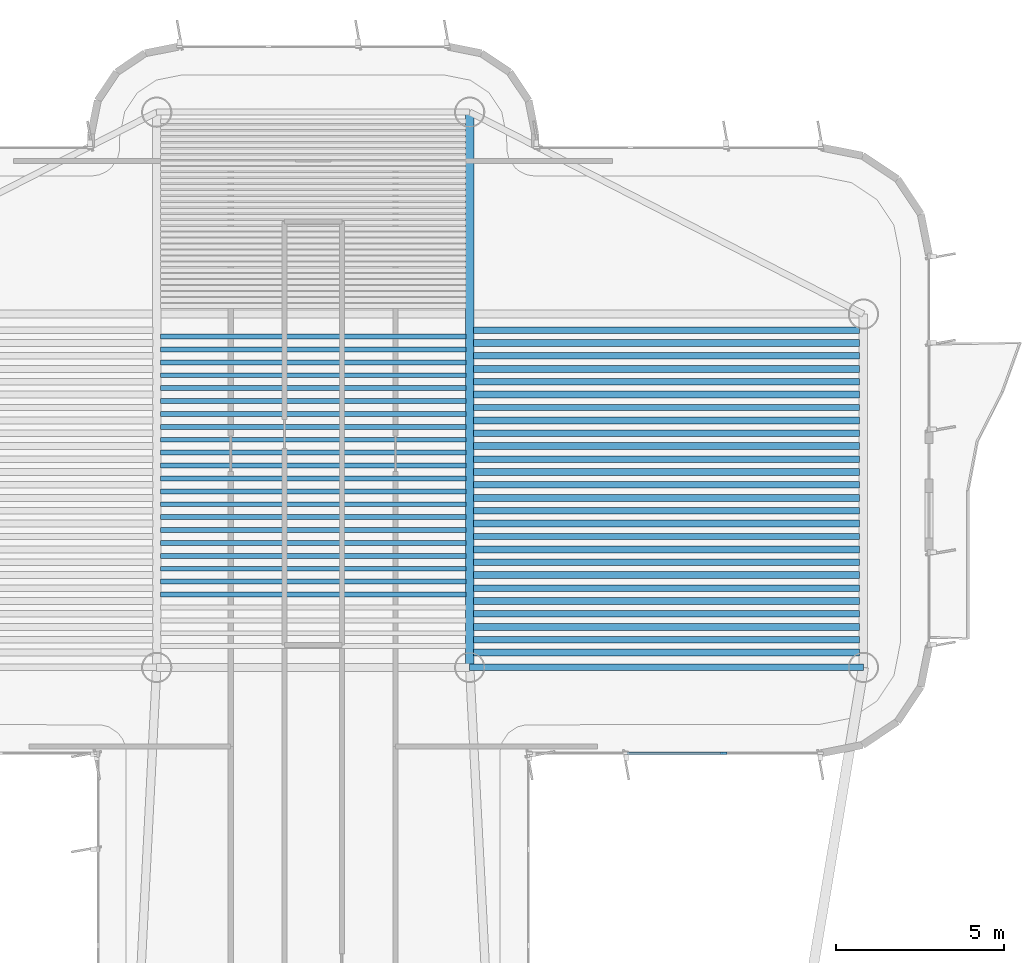
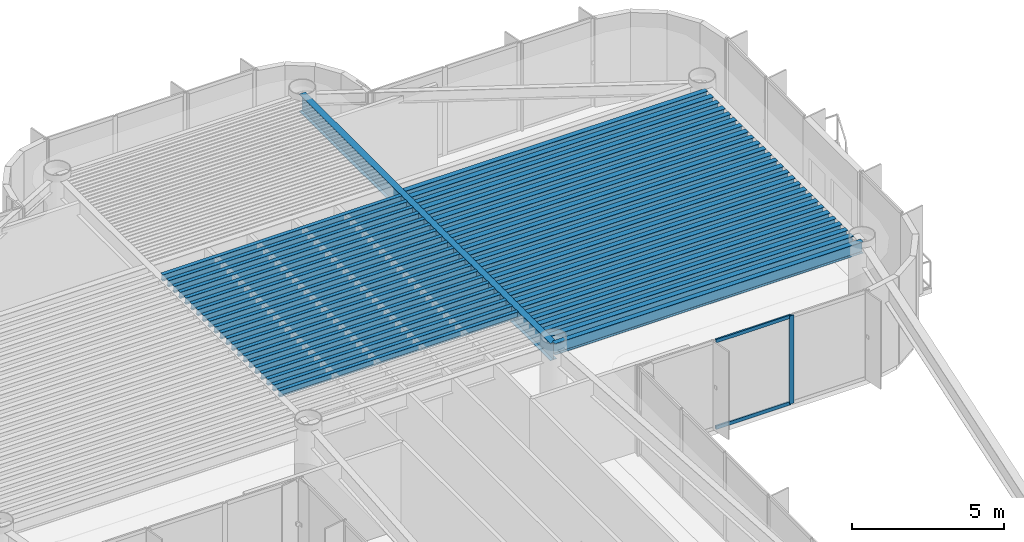
# One storey, part 6 of 14: 49 beams, 3 members, 1 element without a shape of its own.
"""IFC4 building model written with IfcOpenShell, lengths in metres."""

from ifc_helpers import new_model, si_unit, direction, frame, origin, origin_2d, place, context, subcontext, project, spatial, rectangle, i_section, extrude, source, transform, mapped, material, layer, layer_set, material_profile, profile_set, type_object, element, aggregate, save


model = new_model("IFC4")

# Units and contexts
model_context = context("Model", 3, precision=1e-05, world=origin(), true_north=direction((0.0, 1.0)))
body_context = subcontext(model_context, "Body", "Model", "MODEL_VIEW")
ifc_project = project(units=[si_unit("LENGTHUNIT", "METRE"), si_unit("AREAUNIT", "SQUARE_METRE"), si_unit("VOLUMEUNIT", "CUBIC_METRE"), si_unit("PLANEANGLEUNIT", "RADIAN"), si_unit("MASSUNIT", "GRAM", prefix="KILO")], contexts=[model_context])

# Site, building, storey
site_placement = place(None, origin())
site = spatial("IfcSite", under=ifc_project, at=site_placement, CompositionType="ELEMENT")
building_placement = place(site_placement, origin())
building = spatial("IfcBuilding", under=site, at=building_placement, Name="Brelvock Crest Care Tower", CompositionType="ELEMENT")
storey_placement = place(building_placement, frame((0.0, 0.0, 257.0400390625)))
storey = spatial("IfcBuildingStorey", under=building, at=storey_placement, Name="L65", CompositionType="ELEMENT", Elevation=257.0400390625)

# Beams
ifc_material_1 = material(Name="Steel Grade 350", Category="steel")
ifc_material_profile_1 = material_profile(ifc_material_1, i_section(OverallWidth=0.14599609375, OverallDepth=0.256103515625, WebThickness=0.00634765625, FlangeThickness=0.010986328125, FilletRadius=0.0087890625, at=origin_2d()), Name="250UB37.3")
ifc_profile_set_1 = profile_set([ifc_material_profile_1], Name="Steel Grade 350")
beam_type_1 = type_object("IfcBeamType", Name="BM-J3", PredefinedType="JOIST", material=ifc_profile_set_1)
shared_shape_1 = source(origin(), body_context, "Body", "SweptSolid", [
    extrude(i_section(OverallWidth=0.14599609375, OverallDepth=0.256103515625, WebThickness=0.00634765625, FlangeThickness=0.010986328125, FilletRadius=0.0087890625, at=origin_2d()), origin(), (0.0, 0.0, 1.0), 9.06982421875),
])
for number, where, z_axis, x_axis, name in (
    (1, (31.465087890625, 46.115478515625, 3.40185546875), (1.0, 0.0, 0.0), (0.0, 1.0, 0.0), "BM-JH-L65-5"),
    (2, (31.465087890625, 46.498779296875, 3.40185546875), (1.0, 0.0, 0.0), (0.0, 1.0, 0.0), "BM-JH-L65-6"),
    (3, (31.465087890625, 46.882080078125, 3.40185546875), (1.0, 0.0, 0.0), (0.0, 1.0, 0.0), "BM-JH-L65-7"),
    (4, (31.465087890625, 47.265380859375, 3.40185546875), (1.0, 0.0, 0.0), (0.0, 1.0, 0.0), "BM-JH-L65-8"),
    (5, (31.465087890625, 47.648681640625, 3.40185546875), (1.0, 0.0, 0.0), (0.0, 1.0, 0.0), "BM-JH-L65-9"),
    (6, (31.465087890625, 48.031982421875, 3.40185546875), (1.0, 0.0, 0.0), (0.0, 1.0, 0.0), "BM-JH-L65-10"),
    (7, (31.465087890625, 48.4150390625, 3.40185546875), (1.0, 0.0, 0.0), (0.0, 1.0, 0.0), "BM-JH-L65-11"),
    (8, (31.465087890625, 48.79833984375, 3.40185546875), (1.0, 0.0, 0.0), (0.0, 1.0, 0.0), "BM-JH-L65-12"),
    (9, (31.465087890625, 49.181640625, 3.40185546875), (1.0, 0.0, 0.0), (0.0, 1.0, 0.0), "BM-JH-L65-13"),
    (10, (31.465087890625, 49.564697265625, 3.40185546875), (1.0, 0.0, 0.0), (0.0, 1.0, 0.0), "BM-JH-L65-14"),
    (11, (31.465087890625, 49.947998046875, 3.40185546875), (1.0, 0.0, 0.0), (0.0, 1.0, 0.0), "BM-JH-L65-15"),
    (12, (31.465087890625, 50.331298828125, 3.40185546875), (1.0, 0.0, 0.0), (0.0, 1.0, 0.0), "BM-JH-L65-16"),
    (13, (31.465087890625, 50.714599609375, 3.40185546875), (1.0, 0.0, 0.0), (0.0, 1.0, 0.0), "BM-JH-L65-17"),
    (14, (31.465087890625, 51.097900390625, 3.40185546875), (1.0, 0.0, 0.0), (0.0, 1.0, 0.0), "BM-JH-L65-18"),
    (15, (31.465087890625, 51.481201171875, 3.40185546875), (1.0, 0.0, 0.0), (0.0, 1.0, 0.0), "BM-JH-L65-19"),
    (16, (31.465087890625, 51.864501953125, 3.40185546875), (1.0, 0.0, 0.0), (0.0, 1.0, 0.0), "BM-JH-L65-20"),
    (17, (31.465087890625, 52.24755859375, 3.40185546875), (1.0, 0.0, 0.0), (0.0, 1.0, 0.0), "BM-JH-L65-21"),
    (18, (31.465087890625, 52.630859375, 3.40185546875), (1.0, 0.0, 0.0), (0.0, 1.0, 0.0), "BM-JH-L65-22"),
    (19, (31.465087890625, 53.01416015625, 3.40185546875), (1.0, 0.0, 0.0), (0.0, 1.0, 0.0), "BM-JH-L65-23"),
    (20, (31.465087890625, 53.3974609375, 3.40185546875), (1.0, 0.0, 0.0), (0.0, 1.0, 0.0), "BM-JH-L65-24"),
    (21, (31.465087890625, 53.780517578125, 3.40185546875), (1.0, 0.0, 0.0), (0.0, 1.0, 0.0), "BM-JH-L65-25"),
):
    element("IfcBeam", number, at=place(storey_placement, frame(where, z_axis=z_axis, x_axis=x_axis)), inside=storey, type_object=beam_type_1, Name=name, PredefinedType="JOIST", context=body_context, shape_type="MappedRepresentation", body=[
        mapped(shared_shape_1, transform((0.0, 0.0, 0.0), x_axis=(1.0, 0.0, 0.0), y_axis=(0.0, 1.0, 0.0), z_axis=(0.0, 0.0, 1.0), scale=1.0)),
    ])
ifc_material_profile_2 = material_profile(ifc_material_1, i_section(OverallWidth=0.19091796875, OverallDepth=0.4599609375, WebThickness=0.010009765625, FlangeThickness=0.01611328125, FilletRadius=0.011474609375, at=origin_2d()), Name="460UB82.1")
ifc_profile_set_2 = profile_set([ifc_material_profile_2], Name="Steel Grade 350")
beam_type_2 = type_object("IfcBeamType", Name="BM-G3", PredefinedType="BEAM", material=ifc_profile_set_2)
shared_shape_2 = source(origin(), body_context, "Body", "SweptSolid", [
    extrude(i_section(OverallWidth=0.19091796875, OverallDepth=0.4599609375, WebThickness=0.010009765625, FlangeThickness=0.01611328125, FilletRadius=0.011474609375, at=origin_2d()), origin(), (0.0, 0.0, 1.0), 11.47021484375),
])
for number, where, z_axis, x_axis, name in (
    (22, (40.764892578125, 44.7744140625, 3.300048828125), (1.0, 0.0, 0.0), (0.0, 1.0, 0.0), "BM-JE-L65-2"),
    (23, (40.764892578125, 45.540771484375, 3.300048828125), (1.0, 0.0, 0.0), (0.0, 1.0, 0.0), "BM-JE-L65-4"),
    (24, (40.764892578125, 46.307373046875, 3.300048828125), (1.0, 0.0, 0.0), (0.0, 1.0, 0.0), "BM-JE-L65-6"),
    (25, (40.764892578125, 47.07373046875, 3.300048828125), (1.0, 0.0, 0.0), (0.0, 1.0, 0.0), "BM-JE-L65-8"),
    (26, (40.764892578125, 47.84033203125, 3.300048828125), (1.0, 0.0, 0.0), (0.0, 1.0, 0.0), "BM-JE-L65-10"),
    (27, (40.764892578125, 48.606689453125, 3.300048828125), (1.0, 0.0, 0.0), (0.0, 1.0, 0.0), "BM-JE-L65-12"),
    (28, (40.764892578125, 49.373291015625, 3.300048828125), (1.0, 0.0, 0.0), (0.0, 1.0, 0.0), "BM-JE-L65-14"),
    (29, (40.764892578125, 50.139892578125, 3.300048828125), (1.0, 0.0, 0.0), (0.0, 1.0, 0.0), "BM-JE-L65-16"),
    (30, (40.764892578125, 50.90625, 3.300048828125), (1.0, 0.0, 0.0), (0.0, 1.0, 0.0), "BM-JE-L65-18"),
    (31, (40.764892578125, 51.6728515625, 3.300048828125), (1.0, 0.0, 0.0), (0.0, 1.0, 0.0), "BM-JE-L65-20"),
    (32, (40.764892578125, 52.439208984375, 3.300048828125), (1.0, 0.0, 0.0), (0.0, 1.0, 0.0), "BM-JE-L65-22"),
    (33, (40.764892578125, 53.205810546875, 3.300048828125), (1.0, 0.0, 0.0), (0.0, 1.0, 0.0), "BM-JE-L65-24"),
    (34, (40.764892578125, 53.972412109375, 3.300048828125), (1.0, 0.0, 0.0), (0.0, 1.0, 0.0), "BM-JE-L65-26"),
):
    element("IfcBeam", number, at=place(storey_placement, frame(where, z_axis=z_axis, x_axis=x_axis)), inside=storey, type_object=beam_type_2, Name=name, PredefinedType="BEAM", context=body_context, shape_type="MappedRepresentation", body=[
        mapped(shared_shape_2, transform((0.0, 0.0, 0.0), x_axis=(1.0, 0.0, 0.0), y_axis=(0.0, 1.0, 0.0), z_axis=(0.0, 0.0, 1.0), scale=1.0)),
    ])
ifc_material_profile_3 = material_profile(ifc_material_1, i_section(OverallWidth=0.208984375, OverallDepth=0.532958984375, WebThickness=0.01025390625, FlangeThickness=0.015625, FilletRadius=0.013916015625, at=origin_2d()), Name="530UB92.4")
ifc_profile_set_3 = profile_set([ifc_material_profile_3], Name="Steel Grade 350")
beam_type_3 = type_object("IfcBeamType", Name="BM-G2", PredefinedType="BEAM", material=ifc_profile_set_3)
shared_shape_3 = source(origin(), body_context, "Body", "SweptSolid", [
    extrude(i_section(OverallWidth=0.208984375, OverallDepth=0.532958984375, WebThickness=0.01025390625, FlangeThickness=0.015625, FilletRadius=0.013916015625, at=origin_2d()), origin(), (0.0, 0.0, 1.0), 11.47021484375),
])
for number, where, z_axis, x_axis, name in (
    (35, (40.764892578125, 44.39111328125, 3.263427734375), (1.0, 0.0, 0.0), (0.0, 1.0, 0.0), "BM-JE-L65-1"),
    (36, (40.764892578125, 45.157470703125, 3.263427734375), (1.0, 0.0, 0.0), (0.0, 1.0, 0.0), "BM-JE-L65-3"),
    (37, (40.764892578125, 45.924072265625, 3.263427734375), (1.0, 0.0, 0.0), (0.0, 1.0, 0.0), "BM-JE-L65-5"),
    (38, (40.764892578125, 46.6904296875, 3.263427734375), (1.0, 0.0, 0.0), (0.0, 1.0, 0.0), "BM-JE-L65-7"),
    (39, (40.764892578125, 47.45703125, 3.263427734375), (1.0, 0.0, 0.0), (0.0, 1.0, 0.0), "BM-JE-L65-9"),
    (40, (40.764892578125, 48.223388671875, 3.263427734375), (1.0, 0.0, 0.0), (0.0, 1.0, 0.0), "BM-JE-L65-11"),
    (41, (40.764892578125, 48.989990234375, 3.263427734375), (1.0, 0.0, 0.0), (0.0, 1.0, 0.0), "BM-JE-L65-13"),
    (42, (40.764892578125, 49.756591796875, 3.263427734375), (1.0, 0.0, 0.0), (0.0, 1.0, 0.0), "BM-JE-L65-15"),
    (43, (40.764892578125, 50.52294921875, 3.263427734375), (1.0, 0.0, 0.0), (0.0, 1.0, 0.0), "BM-JE-L65-17"),
    (44, (40.764892578125, 51.28955078125, 3.263427734375), (1.0, 0.0, 0.0), (0.0, 1.0, 0.0), "BM-JE-L65-19"),
    (45, (40.764892578125, 52.055908203125, 3.263427734375), (1.0, 0.0, 0.0), (0.0, 1.0, 0.0), "BM-JE-L65-21"),
    (46, (40.764892578125, 52.822509765625, 3.263427734375), (1.0, 0.0, 0.0), (0.0, 1.0, 0.0), "BM-JE-L65-23"),
    (47, (40.764892578125, 53.589111328125, 3.263427734375), (1.0, 0.0, 0.0), (0.0, 1.0, 0.0), "BM-JE-L65-25"),
):
    element("IfcBeam", number, at=place(storey_placement, frame(where, z_axis=z_axis, x_axis=x_axis)), inside=storey, type_object=beam_type_3, Name=name, PredefinedType="BEAM", context=body_context, shape_type="MappedRepresentation", body=[
        mapped(shared_shape_3, transform((0.0, 0.0, 0.0), x_axis=(1.0, 0.0, 0.0), y_axis=(0.0, 1.0, 0.0), z_axis=(0.0, 0.0, 1.0), scale=1.0)),
    ])
ifc_material_profile_4 = material_profile(ifc_material_1, i_section(OverallWidth=0.19091796875, OverallDepth=0.4599609375, WebThickness=0.010009765625, FlangeThickness=0.01611328125, FilletRadius=0.011474609375, at=origin_2d()), Name="460UB82.1")
ifc_profile_set_4 = profile_set([ifc_material_profile_4], Name="Steel Grade 350")
beam_type_4 = type_object("IfcBeamType", Name="BM-SP2", PredefinedType="SPANDREL", material=ifc_profile_set_4)
shared_shape_4 = source(origin(), body_context, "Body", "SweptSolid", [
    extrude(i_section(OverallWidth=0.19091796875, OverallDepth=0.4599609375, WebThickness=0.010009765625, FlangeThickness=0.01611328125, FilletRadius=0.011474609375, at=origin_2d()), origin(), (0.0, 0.0, 1.0), 11.7001953125),
])
beam_1_placement = place(storey_placement, frame((40.64990234375, 43.949951171875, 3.300048828125), z_axis=(1.0, 0.0, 0.0), x_axis=(0.0, 1.0, 0.0)))
element("IfcBeam", 48, at=beam_1_placement, inside=storey, type_object=beam_type_4, Name="BM-TWR-L65-04", PredefinedType="SPANDREL", context=body_context, shape_type="MappedRepresentation", body=[
    mapped(shared_shape_4, transform((0.0, 0.0, 0.0), x_axis=(1.0, 0.0, 0.0), y_axis=(0.0, 1.0, 0.0), z_axis=(0.0, 0.0, 1.0), scale=1.0)),
])
ifc_material_profile_5 = material_profile(ifc_material_1, i_section(OverallWidth=0.25, OverallDepth=0.699951171875, WebThickness=0.011962890625, FlangeThickness=0.02001953125, at=origin_2d()), Name="700WB150")
ifc_profile_set_5 = profile_set([ifc_material_profile_5], Name="Steel Grade 350")
beam_type_5 = type_object("IfcBeamType", Name="BM-G4", PredefinedType="BEAM", material=ifc_profile_set_5)
shared_shape_5 = source(origin(), body_context, "Body", "SweptSolid", [
    extrude(i_section(OverallWidth=0.25, OverallDepth=0.699951171875, WebThickness=0.011962890625, FlangeThickness=0.02001953125, at=origin_2d()), origin(), (0.0, 0.0, 1.0), 16.5),
])
beam_2_placement = place(storey_placement, frame((40.64990234375, 43.949951171875, 3.179931640625), z_axis=(0.0, 1.0, 0.0), x_axis=(-1.0, 0.0, 0.0)))
element("IfcBeam", 49, at=beam_2_placement, inside=storey, type_object=beam_type_5, Name="BM-TWR-L65-10", PredefinedType="BEAM", context=body_context, shape_type="MappedRepresentation", body=[
    mapped(shared_shape_5, transform((0.0, 0.0, 0.0), x_axis=(1.0, 0.0, 0.0), y_axis=(0.0, 1.0, 0.0), z_axis=(0.0, 0.0, 1.0), scale=1.0)),
])

# Curtain wall, members
ifc_material_2 = material(Name="Dark Glass Double Glazed Low-E", Category="glass")
ifc_layer = layer(ifc_material_2, 0.239990234375, Name="CWS-5")
ifc_layer_set = layer_set([ifc_layer], Name="Dark Glass Double Glazed Low-E")
curtain_wall_type = type_object("IfcCurtainWallType", Name="CWS-5", PredefinedType="NOTDEFINED", material=ifc_layer_set)
curtain_wall_placement = place(storey_placement, origin())
curtain_wall = element("IfcCurtainWall", 50, at=curtain_wall_placement, inside=storey, type_object=curtain_wall_type, Name="L65 Curtain Wall E44", PredefinedType="NOTDEFINED")
ifc_material_3 = material(Name="Aluminium 6063-T6", Category="aluminium")
ifc_material_profile_6 = material_profile(ifc_material_3, rectangle(XDim=0.06005859375, YDim=0.179931640625, at=origin_2d()), Name="ALU60x180")
ifc_profile_set_6 = profile_set([ifc_material_profile_6], Name="Aluminium 6063-T6")
member_type_1 = type_object("IfcMemberType", Name="CWM-2", PredefinedType="MULLION", material=ifc_profile_set_6)
shared_shape_6 = source(origin(), body_context, "Body", "SweptSolid", [
    extrude(rectangle(XDim=0.06005859375, YDim=0.179931640625, at=origin_2d()), origin(), (0.0, 0.0, 1.0), 3.530029296875),
])
member_1_placement = place(storey_placement, frame((48.199951171875, 41.39990234375, 0.0), z_axis=(0.0, 0.0, 1.0), x_axis=(0.0, -1.0, 0.0)))
member_1 = element("IfcMember", 51, at=member_1_placement, type_object=member_type_1, Name="CW-5 mullion 2", PredefinedType="MULLION", context=body_context, shape_type="MappedRepresentation", body=[
    mapped(shared_shape_6, transform((0.0, 0.0, 0.0), x_axis=(1.0, 0.0, 0.0), y_axis=(0.0, 1.0, 0.0), z_axis=(0.0, 0.0, 1.0), scale=1.0)),
])
ifc_material_profile_7 = material_profile(ifc_material_3, rectangle(XDim=0.06005859375, YDim=0.139892578125, at=origin_2d()), Name="ALU60x140")
ifc_profile_set_7 = profile_set([ifc_material_profile_7], Name="Aluminium 6063-T6")
member_type_2 = type_object("IfcMemberType", Name="CWT-2", PredefinedType="USERDEFINED", material=ifc_profile_set_7)
shared_shape_7 = source(origin(), body_context, "Body", "SweptSolid", [
    extrude(rectangle(XDim=0.06005859375, YDim=0.139892578125, at=origin_2d()), origin(), (0.0, 0.0, 1.0), 2.83984375),
])
member_2_placement = place(storey_placement, frame((48.169921875, 41.39990234375, 0.030029296875), z_axis=(-1.0, 0.0, 0.0), x_axis=(0.0, -1.0, 0.0)))
member_2 = element("IfcMember", 52, at=member_2_placement, type_object=member_type_2, Name="CW-5 transom 2.1", ObjectType="TRANSOM", PredefinedType="USERDEFINED", context=body_context, shape_type="MappedRepresentation", body=[
    mapped(shared_shape_7, transform((0.0, 0.0, 0.0), x_axis=(1.0, 0.0, 0.0), y_axis=(0.0, 1.0, 0.0), z_axis=(0.0, 0.0, 1.0), scale=1.0)),
])
member_3_placement = place(storey_placement, frame((48.169921875, 41.39990234375, 3.5), z_axis=(-1.0, 0.0, 0.0), x_axis=(0.0, -1.0, 0.0)))
member_3 = element("IfcMember", 53, at=member_3_placement, type_object=member_type_2, Name="CW-5 transom 2.2", ObjectType="TRANSOM", PredefinedType="USERDEFINED", context=body_context, shape_type="MappedRepresentation", body=[
    mapped(shared_shape_7, transform((0.0, 0.0, 0.0), x_axis=(1.0, 0.0, 0.0), y_axis=(0.0, 1.0, 0.0), z_axis=(0.0, 0.0, 1.0), scale=1.0)),
])
aggregate(curtain_wall, [member_1, member_2, member_3])

save(model, "model.ifc")
